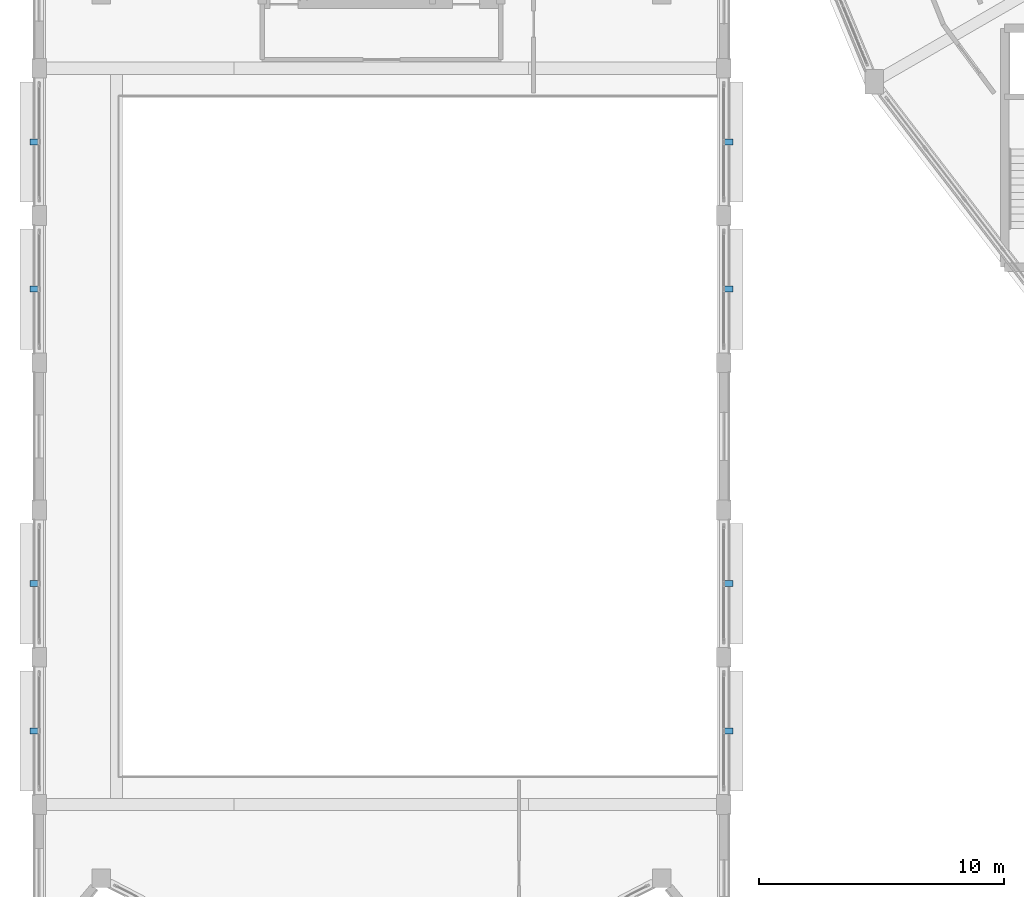
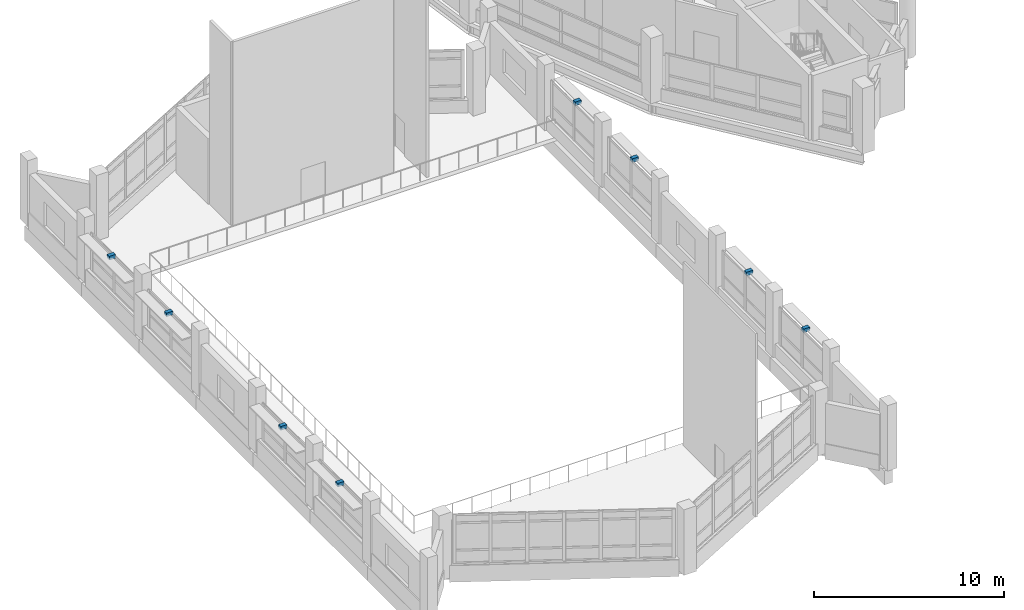
# One storey, part 117 of 128: 8 discrete accessories.
"""IFC4 building model written with IfcOpenShell, lengths in metres."""

from ifc_helpers import new_model, si_unit, direction, frame, origin, origin_2d, place, context, subcontext, project, spatial, rectangle, extrude, material, type_object, element, save


model = new_model("IFC4")

# Units and contexts
model_context = context("Model", 3, precision=1e-05, world=origin(), true_north=direction((0.0, 1.0)))
body_context = subcontext(model_context, "Body", "Model", "MODEL_VIEW")
ifc_project = project(units=[si_unit("LENGTHUNIT", "METRE"), si_unit("AREAUNIT", "SQUARE_METRE"), si_unit("VOLUMEUNIT", "CUBIC_METRE"), si_unit("PLANEANGLEUNIT", "RADIAN"), si_unit("MASSUNIT", "GRAM", prefix="KILO")], contexts=[model_context])

# Site, building, storey
site_placement = place(None, origin())
site = spatial("IfcSite", under=ifc_project, at=site_placement, CompositionType="ELEMENT")
building_placement = place(site_placement, origin())
building = spatial("IfcBuilding", under=site, at=building_placement, Name="Vespera Passage Community Centre", CompositionType="ELEMENT")
storey_placement = place(building_placement, frame((0.0, 0.0, 4.5)))
storey = spatial("IfcBuildingStorey", under=building, at=storey_placement, Name="L01", CompositionType="ELEMENT", Elevation=4.5)

# Discrete accessories
ifc_material = material(Name="Steel ASTM A572 Grade 50", Category="steel")
discrete_accessory_type = type_object("IfcDiscreteAccessoryType", Name="ACC-BRACKET", PredefinedType="BRACKET", material=ifc_material)
for number, where, z_axis, x_axis, name in (
    (1, (3.8701171875, 16.0, 3.14501953125), (0.0, 0.0, 1.0), (0.0, 1.0, 0.0), "V1 L01 W2 Solar Eyebrow Bracket"),
    (2, (32.1298828125, 16.0, 3.14501953125), (0.0, 0.0, 1.0), (0.0, -1.0, 0.0), "V1 L01 E2 Solar Eyebrow Bracket"),
    (3, (3.8701171875, 22.0, 3.14501953125), (0.0, 0.0, 1.0), (0.0, 1.0, 0.0), "V1 L01 W3 Solar Eyebrow Bracket"),
    (4, (32.1298828125, 22.0, 3.14501953125), (0.0, 0.0, 1.0), (0.0, -1.0, 0.0), "V1 L01 E3 Solar Eyebrow Bracket"),
    (5, (3.8701171875, 34.0, 3.14501953125), (0.0, 0.0, 1.0), (0.0, 1.0, 0.0), "V1 L01 W5 Solar Eyebrow Bracket"),
    (6, (32.1298828125, 34.0, 3.14501953125), (0.0, 0.0, 1.0), (0.0, -1.0, 0.0), "V1 L01 E5 Solar Eyebrow Bracket"),
    (7, (3.8701171875, 40.0, 3.14501953125), (0.0, 0.0, 1.0), (0.0, 1.0, 0.0), "V1 L01 W6 Solar Eyebrow Bracket"),
    (8, (32.1298828125, 40.0, 3.14501953125), (0.0, 0.0, 1.0), (0.0, -1.0, 0.0), "V1 L01 E6 Solar Eyebrow Bracket"),
):
    element("IfcDiscreteAccessory", number, at=place(storey_placement, frame(where, z_axis=z_axis, x_axis=x_axis)), inside=storey, type_object=discrete_accessory_type, Name=name, PredefinedType="BRACKET", context=body_context, shape_type="SweptSolid", body=[
        extrude(rectangle(XDim=0.239990234375, YDim=0.3798828125, at=origin_2d()), origin(), (0.0, 0.0, 1.0), 0.239990234375),
    ])

save(model, "model.ifc")
